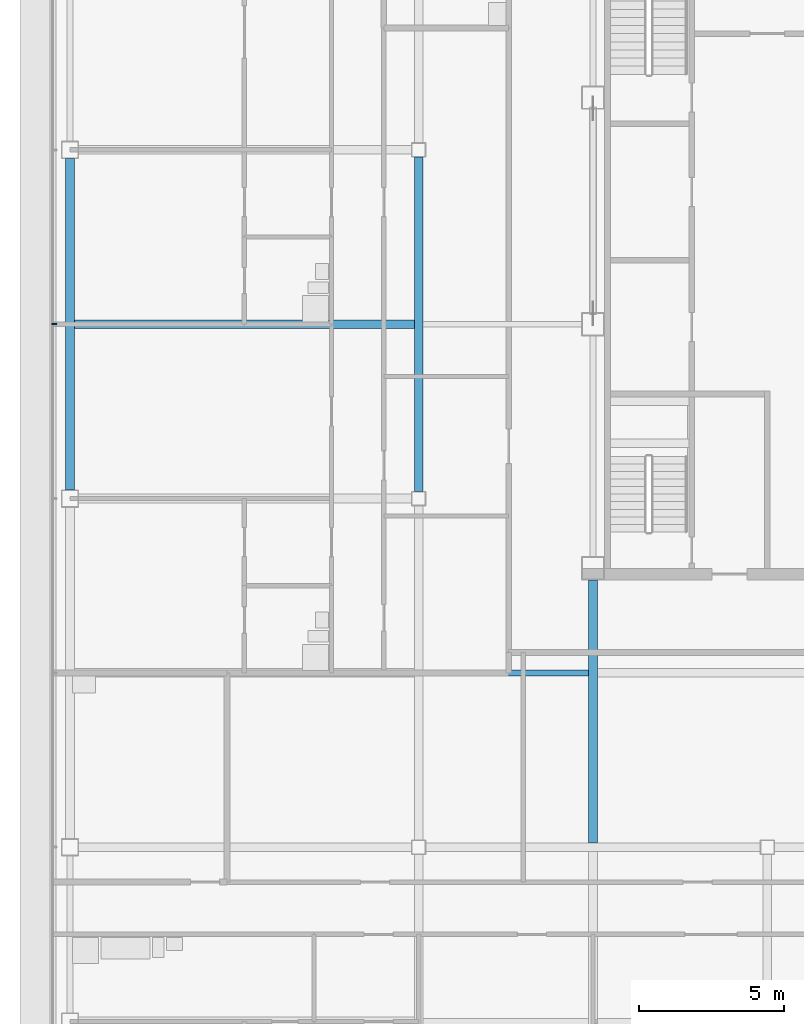
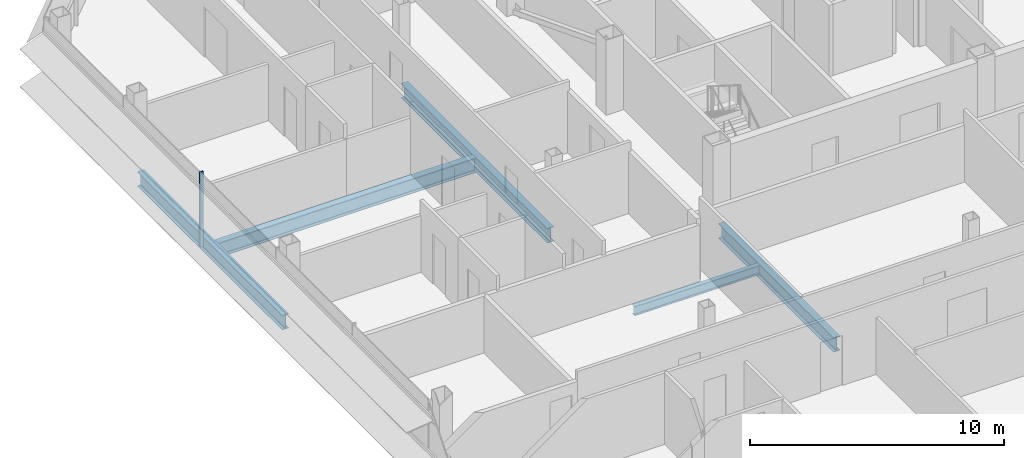
# One storey, part 7 of 28: 5 beams, 1 member, 1 element without a shape of its own.
"""IFC4 building model written with IfcOpenShell, lengths in metres."""

from ifc_helpers import new_model, si_unit, direction, frame, origin, origin_2d, place, context, subcontext, project, spatial, rectangle, i_section, extrude, material, material_profile, profile_set, type_object, element, aggregate, save


model = new_model("IFC4")

# Units and contexts
model_context = context("Model", 3, precision=1e-05, world=origin(), true_north=direction((0.0, 1.0)))
body_context = subcontext(model_context, "Body", "Model", "MODEL_VIEW")
ifc_project = project(units=[si_unit("LENGTHUNIT", "METRE"), si_unit("AREAUNIT", "SQUARE_METRE"), si_unit("VOLUMEUNIT", "CUBIC_METRE"), si_unit("PLANEANGLEUNIT", "RADIAN"), si_unit("MASSUNIT", "GRAM", prefix="KILO")], contexts=[model_context])

# Site, building, storey
site_placement = place(None, origin())
site = spatial("IfcSite", under=ifc_project, at=site_placement, CompositionType="ELEMENT")
building_placement = place(site_placement, origin())
building = spatial("IfcBuilding", under=site, at=building_placement, Name="Sorahane Residences", CompositionType="ELEMENT")
storey_placement = place(building_placement, frame((0.0, 0.0, 266.60009765625)))
storey = spatial("IfcBuildingStorey", under=building, at=storey_placement, Name="L63", CompositionType="ELEMENT", Elevation=266.60009765625)

# Curtain wall, member
ifc_material_1 = material(Name="Dark low-e glass and black anodised aluminium", Category="aluminium")
curtain_wall_type = type_object("IfcCurtainWallType", Name="Curtain wall CW-1 Typical unitised wall", PredefinedType="NOTDEFINED", material=ifc_material_1)
curtain_wall_placement = place(storey_placement, origin())
curtain_wall = element("IfcCurtainWall", 1, at=curtain_wall_placement, inside=storey, type_object=curtain_wall_type, Name="CW-1 curtain wall L63 W1", PredefinedType="NOTDEFINED")
ifc_material_2 = material(Name="Black anodised aluminium", Category="aluminium")
ifc_material_profile_1 = material_profile(ifc_material_2, rectangle(XDim=0.159912109375, YDim=0.050048828125, at=origin_2d()), Name="Curtain wall mullion CW-1 black anodised aluminium 50x160")
ifc_profile_set_1 = profile_set([ifc_material_profile_1], Name="Black anodised aluminium")
member_type = type_object("IfcMemberType", Name="Curtain wall mullion CW-1 black anodised aluminium 50x160", PredefinedType="MULLION", material=ifc_profile_set_1)
member_placement = place(storey_placement, frame((-12.5400390625, 30.0, -0.18017578125), z_axis=(0.0, 0.0, 1.0), x_axis=(-1.0, 0.0, 0.0)))
member = element("IfcMember", 2, at=member_placement, type_object=member_type, Name="CW-1 mullion L63 W1.3", PredefinedType="MULLION", context=body_context, shape_type="SweptSolid", body=[
    extrude(rectangle(XDim=0.159912109375, YDim=0.050048828125, at=origin_2d()), origin(), (0.0, 0.0, 1.0), 3.60009765625),
])
aggregate(curtain_wall, [member])

# Beams
ifc_material_3 = material(Name="Steel Q355B", Category="steel")
ifc_material_profile_2 = material_profile(ifc_material_3, i_section(OverallWidth=0.199951171875, OverallDepth=0.449951171875, WebThickness=0.009033203125, FlangeThickness=0.013916015625, FilletRadius=0.02001953125, at=origin_2d()), Name="HN 450x200x9x14")
ifc_profile_set_2 = profile_set([ifc_material_profile_2], Name="Steel Q355B")
beam_type_1 = type_object("IfcBeamType", Name="Steel floor beam HN 450x200x9x14 Q355B", PredefinedType="BEAM", material=ifc_profile_set_2)
beam_1_placement = place(storey_placement, frame((0.14990234375, 18.0, -0.405029296875), z_axis=(1.0, 0.0, 0.0), x_axis=(0.0, 1.0, 0.0)))
element("IfcBeam", 3, at=beam_1_placement, inside=storey, type_object=beam_type_1, Name="Beam L63 079", PredefinedType="BEAM", context=body_context, shape_type="SweptSolid", body=[
    extrude(i_section(OverallWidth=0.199951171875, OverallDepth=0.449951171875, WebThickness=0.009033203125, FlangeThickness=0.013916015625, FilletRadius=0.02001953125, at=origin_2d()), origin(), (0.0, 0.0, 1.0), 5.7001953125),
])
ifc_material_4 = material(Name="Steel Q355B", Category="steel")
ifc_material_profile_3 = material_profile(ifc_material_4, i_section(OverallWidth=0.300048828125, OverallDepth=0.699951171875, WebThickness=0.012939453125, FlangeThickness=0.02392578125, FilletRadius=0.028076171875, at=origin_2d()), Name="HN 700x300x13x24")
ifc_profile_set_3 = profile_set([ifc_material_profile_3], Name="Steel Q355B")
beam_type_2 = type_object("IfcBeamType", Name="Steel floor beam HN 700x300x13x24 Q355B", PredefinedType="BEAM", material=ifc_profile_set_3)
beam_2_placement = place(storey_placement, frame((-12.0, 24.300048828125, -0.530029296875), z_axis=(0.0, 1.0, 0.0), x_axis=(-1.0, 0.0, 0.0)))
element("IfcBeam", 4, at=beam_2_placement, inside=storey, type_object=beam_type_2, Name="Beam L63 022", PredefinedType="BEAM", context=body_context, shape_type="SweptSolid", body=[
    extrude(i_section(OverallWidth=0.300048828125, OverallDepth=0.699951171875, WebThickness=0.012939453125, FlangeThickness=0.02392578125, FilletRadius=0.028076171875, at=origin_2d()), origin(), (0.0, 0.0, 1.0), 11.39990234375),
])
beam_3_placement = place(storey_placement, frame((0.0, 24.25, -0.530029296875), z_axis=(0.0, 1.0, 0.0), x_axis=(-1.0, 0.0, 0.0)))
element("IfcBeam", 5, at=beam_3_placement, inside=storey, type_object=beam_type_2, Name="Beam L63 026", PredefinedType="BEAM", context=body_context, shape_type="SweptSolid", body=[
    extrude(i_section(OverallWidth=0.300048828125, OverallDepth=0.699951171875, WebThickness=0.012939453125, FlangeThickness=0.02392578125, FilletRadius=0.028076171875, at=origin_2d()), origin(), (0.0, 0.0, 1.0), 11.5),
])
beam_4_placement = place(storey_placement, frame((6.0, 12.14990234375, -0.530029296875), z_axis=(0.0, 1.0, 0.0), x_axis=(-1.0, 0.0, 0.0)))
element("IfcBeam", 6, at=beam_4_placement, inside=storey, type_object=beam_type_2, Name="Beam L63 029", PredefinedType="BEAM", context=body_context, shape_type="SweptSolid", body=[
    extrude(i_section(OverallWidth=0.300048828125, OverallDepth=0.699951171875, WebThickness=0.012939453125, FlangeThickness=0.02392578125, FilletRadius=0.028076171875, at=origin_2d()), origin(), (0.0, 0.0, 1.0), 9.050048828125),
])
beam_5_placement = place(storey_placement, frame((-11.85009765625, 30.0, -0.530029296875), z_axis=(1.0, 0.0, 0.0), x_axis=(0.0, 1.0, 0.0)))
element("IfcBeam", 7, at=beam_5_placement, inside=storey, type_object=beam_type_2, Name="Beam L63 085", PredefinedType="BEAM", context=body_context, shape_type="SweptSolid", body=[
    extrude(i_section(OverallWidth=0.300048828125, OverallDepth=0.699951171875, WebThickness=0.012939453125, FlangeThickness=0.02392578125, FilletRadius=0.028076171875, at=origin_2d()), origin(), (0.0, 0.0, 1.0), 11.7001953125),
])

save(model, "model.ifc")
